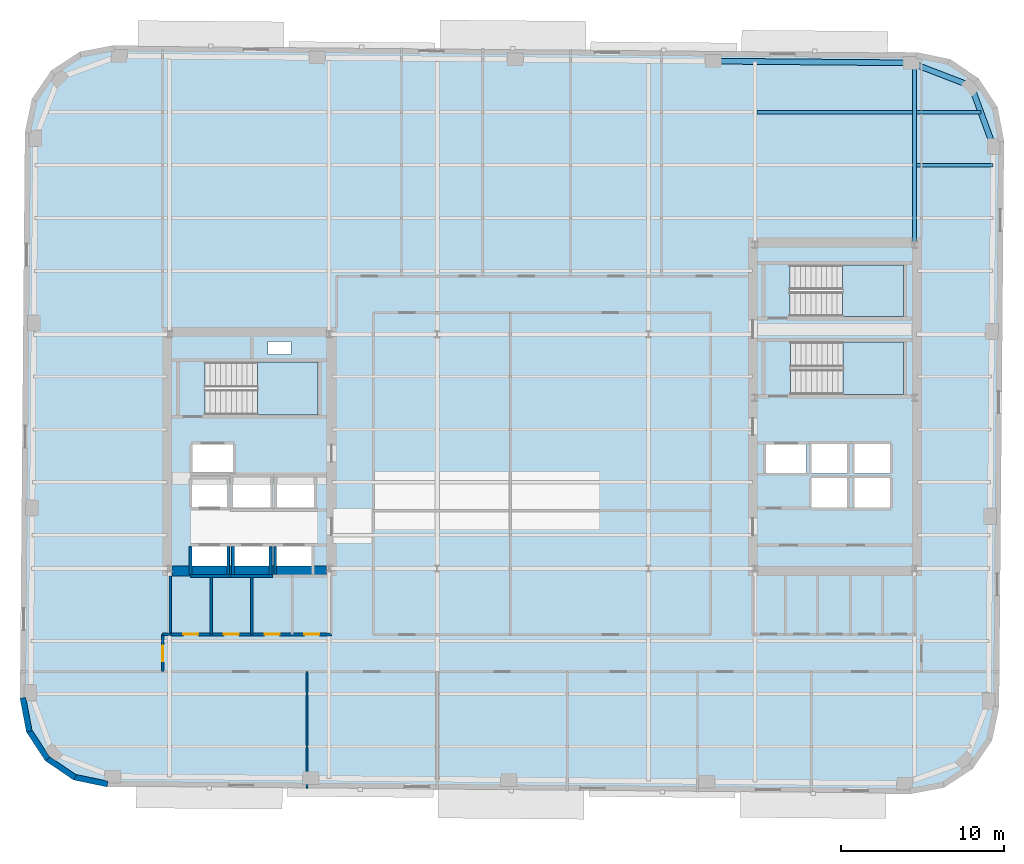
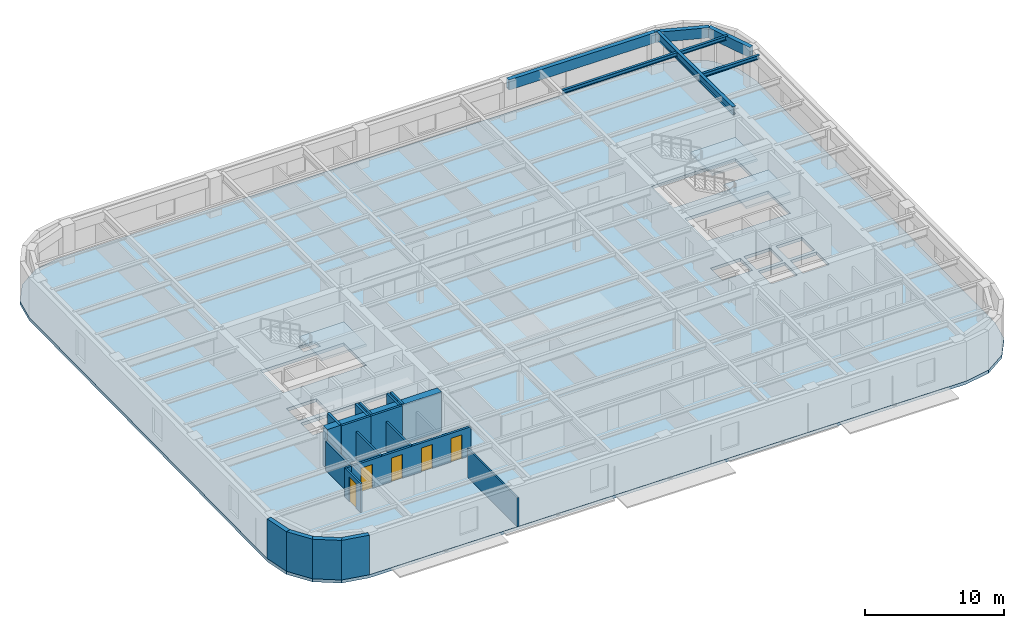
# One storey, part 3 of 11: 19 walls, 7 beams, 5 doors, 4 slabs, 5 openings, 3 elements without a shape of their own.
"""IFC4 building model written with IfcOpenShell, lengths in metres."""

from ifc_helpers import new_model, si_unit, direction, frame, frame_2d, origin, origin_2d, place, context, subcontext, project, spatial, polyline, rectangle, hollow_rectangle, i_section, outline, extrude, material, layer, layer_set, material_profile, profile_set, type_object, element, fill, aggregate, save


model = new_model("IFC4")

# Units and contexts
model_context = context("Model", 3, precision=1e-05, world=origin(), true_north=direction((0.0, 1.0)))
body_context = subcontext(model_context, "Body", "Model", "MODEL_VIEW")
ifc_project = project(units=[si_unit("LENGTHUNIT", "METRE"), si_unit("AREAUNIT", "SQUARE_METRE"), si_unit("VOLUMEUNIT", "CUBIC_METRE"), si_unit("PLANEANGLEUNIT", "RADIAN"), si_unit("MASSUNIT", "GRAM", prefix="KILO")], contexts=[model_context])

# Site, building, storey
site_placement = place(None, origin())
site = spatial("IfcSite", under=ifc_project, at=site_placement, CompositionType="ELEMENT")
building_placement = place(site_placement, origin())
building = spatial("IfcBuilding", under=site, at=building_placement, Name="Kolvaren Arena Tower", CompositionType="ELEMENT")
storey_placement = place(building_placement, frame((0.0, 0.0, 162.199951171875)))
storey = spatial("IfcBuildingStorey", under=building, at=storey_placement, Name="L38", CompositionType="ELEMENT", Elevation=162.199951171875)

# Beams
ifc_material_1 = material(Name="Steel CSA G40.21 350W", Category="steel")
ifc_material_profile_1 = material_profile(ifc_material_1, i_section(OverallWidth=0.2548828125, OverallDepth=0.695068359375, WebThickness=0.01708984375, FlangeThickness=0.02978515625, FilletRadius=0.01611328125, at=origin_2d()), Name="W690x217")
ifc_profile_set_1 = profile_set([ifc_material_profile_1], Name="Steel CSA G40.21 350W")
beam_type_1 = type_object("IfcBeamType", Name="GIRD-T2", PredefinedType="BEAM", material=ifc_profile_set_1)
beam_1_placement = place(storey_placement, frame((60.35009765625, 39.47998046875, 3.132568359375), z_axis=(0.0, 1.0, 0.0), x_axis=(-1.0, 0.0, 0.0)))
element("IfcBeam", 1, at=beam_1_placement, inside=storey, type_object=beam_type_1, Name="Primary Floor Girder (L38)", PredefinedType="BEAM", context=body_context, shape_type="SweptSolid", body=[
    extrude(i_section(OverallWidth=0.2548828125, OverallDepth=0.695068359375, WebThickness=0.01708984375, FlangeThickness=0.02978515625, FilletRadius=0.01611328125, at=origin_2d()), origin(), (0.0, 0.0, 1.0), 10.976806640625),
])
ifc_material_profile_2 = material_profile(ifc_material_1, i_section(OverallWidth=0.202880859375, OverallDepth=0.346923828125, WebThickness=0.0078125, FlangeThickness=0.013427734375, FilletRadius=0.010986328125, at=origin_2d()), Name="W360x64")
ifc_profile_set_2 = profile_set([ifc_material_profile_2], Name="Steel CSA G40.21 350W")
beam_type_2 = type_object("IfcBeamType", Name="JOIST-01", PredefinedType="JOIST", material=ifc_profile_set_2)
beam_2_placement = place(storey_placement, frame((60.4775390625, 44.25, 3.306640625), z_axis=(1.0, 0.0, 0.0), x_axis=(0.0, 1.0, 0.0)))
element("IfcBeam", 2, at=beam_2_placement, inside=storey, type_object=beam_type_2, Name="Composite Floor Joist (L38)", PredefinedType="JOIST", context=body_context, shape_type="SweptSolid", body=[
    extrude(i_section(OverallWidth=0.202880859375, OverallDepth=0.346923828125, WebThickness=0.0078125, FlangeThickness=0.013427734375, FilletRadius=0.010986328125, at=origin_2d()), origin(), (0.0, 0.0, 1.0), 4.710205078125),
])
beam_3_placement = place(storey_placement, frame((50.677490234375, 47.5, 3.306640625), z_axis=(1.0, 0.0, 0.0), x_axis=(0.0, 1.0, 0.0)))
element("IfcBeam", 3, at=beam_3_placement, inside=storey, type_object=beam_type_2, Name="Composite Floor Joist (L38)", PredefinedType="JOIST", context=body_context, shape_type="SweptSolid", body=[
    extrude(i_section(OverallWidth=0.202880859375, OverallDepth=0.346923828125, WebThickness=0.0078125, FlangeThickness=0.013427734375, FilletRadius=0.010986328125, at=origin_2d()), origin(), (0.0, 0.0, 1.0), 9.544921875),
])
beam_4_placement = place(storey_placement, frame((60.4775390625, 47.5, 3.306640625), z_axis=(1.0, 0.0, 0.0), x_axis=(0.0, 1.0, 0.0)))
element("IfcBeam", 4, at=beam_4_placement, inside=storey, type_object=beam_type_2, Name="Composite Floor Joist (L38)", PredefinedType="JOIST", context=body_context, shape_type="SweptSolid", body=[
    extrude(i_section(OverallWidth=0.202880859375, OverallDepth=0.346923828125, WebThickness=0.0078125, FlangeThickness=0.013427734375, FilletRadius=0.010986328125, at=origin_2d()), origin(), (0.0, 0.0, 1.0), 3.950439453125),
])
ifc_material_2 = material(Name="Steel CSA G40.21 350WT", Category="steel")
ifc_material_profile_3 = material_profile(ifc_material_2, hollow_rectangle(XDim=0.35009765625, YDim=0.89990234375, WallThickness=0.02001953125, at=origin_2d()), Name="HSS 900x350x20")
ifc_profile_set_3 = profile_set([ifc_material_profile_3], Name="Steel CSA G40.21 350WT")
beam_type_3 = type_object("IfcBeamType", Name="SPAND-01", PredefinedType="SPANDREL", material=ifc_profile_set_3)
for number, where, z_axis, x_axis, name in (
    (5, (65.19775390625, 45.392333984375, 3.030029296875), (-0.343059102458, 0.939313819882, 0.0), (-0.939313819882, -0.343059102458, 0.0), "Perimeter Spandrel Beam (L38)"),
    (6, (63.8388671875, 49.113037109375, 3.030029296875), (-0.933189846698, 0.359383792094, 0.0), (-0.359383792094, -0.933189846698, 0.0), "Perimeter Spandrel Beam (L38)"),
):
    element("IfcBeam", number, at=place(storey_placement, frame(where, z_axis=z_axis, x_axis=x_axis)), inside=storey, type_object=beam_type_3, Name=name, PredefinedType="SPANDREL", context=body_context, shape_type="SweptSolid", body=[
        extrude(hollow_rectangle(XDim=0.35009765625, YDim=0.89990234375, WallThickness=0.02001953125, at=origin_2d()), origin(), (0.0, 0.0, 1.0), 3.961181640625),
    ])
beam_5_placement = place(storey_placement, frame((60.142333984375, 50.53662109375, 3.030029296875), z_axis=(-0.99996195503, 0.008722871848, 0.0), x_axis=(-0.008722871848, -0.99996195503, 0.0)))
element("IfcBeam", 7, at=beam_5_placement, inside=storey, type_object=beam_type_3, Name="Perimeter Spandrel Beam (L38)", PredefinedType="SPANDREL", context=body_context, shape_type="SweptSolid", body=[
    extrude(hollow_rectangle(XDim=0.35009765625, YDim=0.89990234375, WallThickness=0.02001953125, at=origin_2d()), origin(), (0.0, 0.0, 1.0), 12.175048828125),
])

# Stair, slab
ifc_material_3 = material(Name="Concrete 45 MPa", Category="concrete")
stair_type_1 = type_object("IfcStairType", Name="STAIR-CORE-165", PredefinedType="HALF_TURN_STAIR", material=ifc_material_3)
stair_1_placement = place(storey_placement, origin())
stair_1 = element("IfcStair", 8, at=stair_1_placement, inside=storey, type_object=stair_type_1, Name="L38 ST-W1", PredefinedType="HALF_TURN_STAIR")
ifc_layer_1 = layer(ifc_material_3, 0.199951171875)
ifc_layer_set_1 = layer_set([ifc_layer_1], Name="Concrete 45 MPa")
slab_type_1 = type_object("IfcSlabType", Name="SLAB-LAND", PredefinedType="LANDING", material=ifc_layer_set_1)
slab_1_placement = place(storey_placement, frame((0.0, 0.0, 1.675048828125)))
slab_1 = element("IfcSlab", 9, at=slab_1_placement, type_object=slab_type_1, Name="ST-W1 landing 1", PredefinedType="LANDING", context=body_context, shape_type="SweptSolid", body=[
    extrude(outline(polyline([(19.9599609375, 28.89990234375), (23.659912109375, 28.89990234375), (23.659912109375, 32.1298828125), (19.9599609375, 32.1298828125), (19.9599609375, 28.89990234375)])), origin(), (0.0, 0.0, 1.0), 0.199951171875),
])
aggregate(stair_1, [slab_1])

stair_2_placement = place(storey_placement, origin())
stair_2 = element("IfcStair", 10, at=stair_2_placement, inside=storey, type_object=stair_type_1, Name="L38 ST-E1", PredefinedType="HALF_TURN_STAIR")
slab_2_placement = place(storey_placement, frame((0.0, 0.0, 1.675048828125)))
slab_2 = element("IfcSlab", 11, at=slab_2_placement, type_object=slab_type_1, Name="ST-E1 landing 1", PredefinedType="LANDING", context=body_context, shape_type="SweptSolid", body=[
    extrude(outline(polyline([(55.9599609375, 30.14990234375), (59.659912109375, 30.14990234375), (59.659912109375, 33.3798828125), (55.9599609375, 33.3798828125), (55.9599609375, 30.14990234375)])), origin(), (0.0, 0.0, 1.0), 0.199951171875),
])
aggregate(stair_2, [slab_2])

stair_type_2 = type_object("IfcStairType", Name="STAIR-CORE-150", PredefinedType="HALF_TURN_STAIR", material=ifc_material_3)
stair_3_placement = place(storey_placement, origin())
stair_3 = element("IfcStair", 12, at=stair_3_placement, inside=storey, type_object=stair_type_2, Name="L38 ST-E2", PredefinedType="HALF_TURN_STAIR")
slab_3_placement = place(storey_placement, frame((0.0, 0.0, 1.675048828125)))
slab_3 = element("IfcSlab", 13, at=slab_3_placement, type_object=slab_type_1, Name="ST-E2 landing 1", PredefinedType="LANDING", context=body_context, shape_type="SweptSolid", body=[
    extrude(outline(polyline([(55.919921875, 34.949951171875), (59.659912109375, 34.949951171875), (59.659912109375, 38.10009765625), (55.919921875, 38.10009765625), (55.919921875, 34.949951171875)])), origin(), (0.0, 0.0, 1.0), 0.199951171875),
])
aggregate(stair_3, [slab_3])

# Slab
ifc_layer_2 = layer(ifc_material_3, 0.27001953125)
ifc_layer_set_2 = layer_set([ifc_layer_2], Name="Concrete 45 MPa")
slab_type_2 = type_object("IfcSlabType", Name="SLAB-OFF2", PredefinedType="FLOOR", material=ifc_layer_set_2)
slab_4_placement = place(storey_placement, frame((0.0, 0.0, -0.27001953125)))
element("IfcSlab", 14, at=slab_4_placement, inside=storey, type_object=slab_type_2, Name="L38 Primary Structural Slab", PredefinedType="FLOOR", context=body_context, shape_type="SweptSolid", body=[
    extrude(outline(polyline([(60.10009765625, 5.585205078125), (62.170166015625, 5.978271484375), (63.93212890625, 7.133544921875), (65.117919921875, 8.875244140625), (65.547119140625, 10.93798828125), (65.8505859375, 45.73681640625), (65.457763671875, 47.806640625), (64.302490234375, 49.568603515625), (62.560791015625, 50.75439453125), (60.498046875, 51.18359375), (11.099853515625, 51.61474609375), (9.02978515625, 51.2216796875), (7.267822265625, 50.06640625), (6.08203125, 48.32470703125), (5.653076171875, 46.261962890625), (5.349365234375, 11.46337890625), (5.7421875, 9.393310546875), (6.8974609375, 7.63134765625), (8.63916015625, 6.445556640625), (10.701904296875, 6.016357421875), (60.10009765625, 5.585205078125)]), holes=[polyline([(15.93505859375, 19.0849609375), (15.93505859375, 20.81494140625), (18.06494140625, 20.81494140625), (18.06494140625, 19.0849609375), (15.93505859375, 19.0849609375)]), polyline([(18.534912109375, 19.0849609375), (18.534912109375, 20.81494140625), (20.6650390625, 20.81494140625), (20.6650390625, 19.0849609375), (18.534912109375, 19.0849609375)]), polyline([(21.135009765625, 19.0849609375), (21.135009765625, 20.81494140625), (23.264892578125, 20.81494140625), (23.264892578125, 19.0849609375), (21.135009765625, 19.0849609375)]), polyline([(18.4599609375, 23.135009765625), (18.4599609375, 25.06494140625), (20.739990234375, 25.06494140625), (20.739990234375, 23.135009765625), (18.4599609375, 23.135009765625)]), polyline([(21.159912109375, 23.135009765625), (21.159912109375, 25.06494140625), (23.43994140625, 25.06494140625), (23.43994140625, 23.135009765625), (21.159912109375, 23.135009765625)]), polyline([(54.030029296875, 23.18505859375), (54.030029296875, 25.014892578125), (56.2099609375, 25.014892578125), (56.2099609375, 23.18505859375), (54.030029296875, 23.18505859375)]), polyline([(56.669921875, 23.18505859375), (56.669921875, 25.014892578125), (58.85009765625, 25.014892578125), (58.85009765625, 23.18505859375), (56.669921875, 23.18505859375)]), polyline([(15.93505859375, 23.235107421875), (15.93505859375, 24.965087890625), (18.06494140625, 24.965087890625), (18.06494140625, 23.235107421875), (15.93505859375, 23.235107421875)]), polyline([(54.030029296875, 25.284912109375), (54.030029296875, 27.114990234375), (56.2099609375, 27.114990234375), (56.2099609375, 25.284912109375), (54.030029296875, 25.284912109375)]), polyline([(56.669921875, 25.284912109375), (56.669921875, 27.114990234375), (58.85009765625, 27.114990234375), (58.85009765625, 25.284912109375), (56.669921875, 25.284912109375)]), polyline([(15.9599609375, 25.3349609375), (15.9599609375, 27.06494140625), (18.43994140625, 27.06494140625), (18.43994140625, 25.3349609375), (15.9599609375, 25.3349609375)]), polyline([(51.219970703125, 25.3349609375), (51.219970703125, 27.06494140625), (53.699951171875, 27.06494140625), (53.699951171875, 25.3349609375), (51.219970703125, 25.3349609375)]), polyline([(16.735107421875, 28.89990234375), (16.735107421875, 32.1298828125), (23.659912109375, 32.1298828125), (23.659912109375, 28.89990234375), (16.735107421875, 28.89990234375)]), polyline([(52.735107421875, 30.14990234375), (52.735107421875, 33.3798828125), (59.659912109375, 33.3798828125), (59.659912109375, 30.14990234375), (52.735107421875, 30.14990234375)]), polyline([(20.60009765625, 32.6201171875), (20.60009765625, 33.39990234375), (22.0, 33.39990234375), (22.0, 32.6201171875), (20.60009765625, 32.6201171875)]), polyline([(52.695068359375, 34.949951171875), (52.695068359375, 38.10009765625), (59.659912109375, 38.10009765625), (59.659912109375, 34.949951171875), (52.695068359375, 34.949951171875)])]), origin(), (0.0, 0.0, 1.0), 0.27001953125),
])

# Wall, opening, door
ifc_material_4 = material(Name="Gypsum board acoustic assembly", Category="gypsum")
ifc_layer_3 = layer(ifc_material_4, 0.159912109375)
ifc_layer_set_3 = layer_set([ifc_layer_3], Name="Gypsum board acoustic assembly")
wall_type_1 = type_object("IfcWallType", Name="CORR-160", PredefinedType="PARTITIONING", material=ifc_layer_set_3)
wall_1_placement = place(storey_placement, frame((14.1201171875, 13.10009765625, 0.0), z_axis=(0.0, 0.0, 1.0), x_axis=(0.0, 1.0, 0.0)))
wall_1 = element("IfcWall", 15, at=wall_1_placement, inside=storey, type_object=wall_type_1, Name="Interior Partition Wall (L38)", PredefinedType="PARTITIONING", context=body_context, shape_type="SweptSolid", body=[
    extrude(rectangle(XDim=2.2998046875, YDim=0.159912109375, at=frame_2d((1.14990234375, 0.0))), origin(), (0.0, 0.0, 1.0), 2.5400390625),
])
opening_1_placement = place(wall_1_placement, frame((0.64990234375, 0.0, 0.0)))
opening_1 = element("IfcOpeningElement", 16, at=opening_1_placement, cuts=wall_1, Name="Opening D05", PredefinedType="OPENING", context=body_context, shape_type="SweptSolid", body=[
    extrude(rectangle(XDim=0.949951171875, YDim=2.14990234375, at=frame_2d((0.47509765625, 1.074951171875))), frame((0.0, 0.08984375, 0.0), z_axis=(0.0, -1.0, 0.0), x_axis=(1.0, 0.0, 0.0)), (0.0, 0.0, 1.0), 0.179931640625),
])
ifc_material_5 = material(Name="Solid-core oak acoustic office door", Category="wood")
door_type_1 = type_object("IfcDoorType", Name="DOOR-OF-095", OperationType="NOTDEFINED", PredefinedType="DOOR", material=ifc_material_5)
door_1_placement = place(opening_1_placement, origin())
door_1 = element("IfcDoor", 17, at=door_1_placement, inside=storey, type_object=door_type_1, Name="West Wing Office Door (L38)", OperationType="SINGLE_SWING_LEFT", OverallHeight=2.14990234375, OverallWidth=0.949951171875, PredefinedType="DOOR", context=body_context, shape_type="SweptSolid", body=[
    extrude(rectangle(XDim=0.949951171875, YDim=2.14990234375, at=frame_2d((0.47509765625, 1.074951171875))), frame((0.0, 0.02490234375, 0.0), z_axis=(0.0, -1.0, 0.0), x_axis=(1.0, 0.0, 0.0)), (0.0, 0.0, 1.0), 0.050048828125),
])
fill(opening_1, door_1)

# Walls
wall_2_placement = place(storey_placement, frame((14.1201171875, 15.39990234375, 0.0), z_axis=(0.0, 0.0, 1.0), x_axis=(1.0, 0.0, 0.0)))
element("IfcWall", 18, at=wall_2_placement, inside=storey, type_object=wall_type_1, Name="Interior Partition Wall (L38)", PredefinedType="PARTITIONING", context=body_context, shape_type="SweptSolid", body=[
    extrude(rectangle(XDim=0.5, YDim=0.159912109375, at=frame_2d((0.25, 0.0))), origin(), (0.0, 0.0, 1.0), 2.5400390625),
])
ifc_material_6 = material(Name="Concrete 60 MPa", Category="concrete")
ifc_layer_4 = layer(ifc_material_6, 0.60009765625)
ifc_layer_set_4 = layer_set([ifc_layer_4], Name="Concrete 60 MPa")
wall_type_2 = type_object("IfcWallType", Name="CWALL-600", PredefinedType="SHEAR", material=ifc_layer_set_4)
wall_3_placement = place(storey_placement, frame((14.699951171875, 19.300048828125, -0.27001953125), z_axis=(0.0, 0.0, 1.0), x_axis=(1.0, 0.0, 0.0)))
element("IfcWall", 19, at=wall_3_placement, inside=storey, type_object=wall_type_2, Name="Core Shear Wall WC-SOUTH (L38)", PredefinedType="SHEAR", context=body_context, shape_type="SweptSolid", body=[
    extrude(rectangle(XDim=9.5, YDim=0.60009765625, at=frame_2d((4.75, 0.0))), origin(), (0.0, 0.0, 1.0), 3.75),
])
ifc_material_7 = material(Name="Precast concrete C50/60", Category="concrete")
ifc_layer_5 = layer(ifc_material_7, 0.360107421875)
ifc_layer_set_5 = layer_set([ifc_layer_5], Name="Precast concrete C50/60")
wall_type_3 = type_object("IfcWallType", Name="EXT-PIER2", PredefinedType="SOLIDWALL", material=ifc_layer_set_5)
for number, where, z_axis, x_axis, name in (
    (20, (5.919189453125, 9.427001953125, 0.0), (0.0, 0.0, 1.0), (-0.186568933123, 0.982441872679, 0.0), "Exterior Precast Masonry-Frame Wall (L38)"),
    (21, (7.048095703125, 7.72998046875, 0.0), (0.0, 0.0, 1.0), (-0.548319766745, 0.836268756678, 0.0), "Exterior Precast Masonry-Frame Wall (L38)"),
    (22, (8.740478515625, 6.59423828125, 0.0), (0.0, 0.0, 1.0), (-0.826609569219, 0.56277581689, 0.0), "Exterior Precast Masonry-Frame Wall (L38)"),
):
    element("IfcWall", number, at=place(storey_placement, frame(where, z_axis=z_axis, x_axis=x_axis)), inside=storey, type_object=wall_type_3, Name=name, PredefinedType="SOLIDWALL", context=body_context, shape_type="SweptSolid", body=[
        extrude(rectangle(XDim=2.10693359375, YDim=0.360107421875, at=frame_2d((1.053466796875, 0.0))), origin(), (0.0, 0.0, 1.0), 3.47998046875),
    ])
wall_4_placement = place(storey_placement, frame((10.73876953125, 6.192626953125, 0.0), z_axis=(0.0, 0.0, 1.0), x_axis=(-0.979059388908, 0.203574833883, 0.0)))
element("IfcWall", 23, at=wall_4_placement, inside=storey, type_object=wall_type_3, Name="Exterior Precast Masonry-Frame Wall (L38)", PredefinedType="SOLIDWALL", context=body_context, shape_type="SweptSolid", body=[
    extrude(rectangle(XDim=2.107177734375, YDim=0.360107421875, at=frame_2d((1.0537109375, 0.0))), origin(), (0.0, 0.0, 1.0), 3.47998046875),
])
ifc_material_8 = material(Name="Gypsum board partition assembly", Category="gypsum")
ifc_layer_6 = layer(ifc_material_8, 0.135009765625)
ifc_layer_set_6 = layer_set([ifc_layer_6], Name="Gypsum board partition assembly")
wall_type_4 = type_object("IfcWallType", Name="PART-135", PredefinedType="PARTITIONING", material=ifc_layer_set_6)
wall_5_placement = place(storey_placement, frame((23.0, 5.9091796875, 0.0), z_axis=(0.0, 0.0, 1.0), x_axis=(0.0, 1.0, 0.0)))
element("IfcWall", 24, at=wall_5_placement, inside=storey, type_object=wall_type_4, Name="Interior Partition Wall (L38)", PredefinedType="PARTITIONING", context=body_context, shape_type="SweptSolid", body=[
    extrude(rectangle(XDim=7.19091796875, YDim=0.135009765625, at=frame_2d((3.595458984375, 0.0))), origin(), (0.0, 0.0, 1.0), 2.5400390625),
])
ifc_layer_7 = layer(ifc_material_3, 0.25)
ifc_layer_set_7 = layer_set([ifc_layer_7], Name="Concrete 45 MPa")
wall_type_5 = type_object("IfcWallType", Name="SHAFT-250", PredefinedType="SOLIDWALL", material=ifc_layer_set_7)
wall_6_placement = place(storey_placement, frame((15.844970703125, 18.9951171875, 0.0), z_axis=(0.0, 0.0, 1.0), x_axis=(1.0, 0.0, 0.0)))
element("IfcWall", 25, at=wall_6_placement, inside=storey, type_object=wall_type_5, Name="Core Shaft Wall (L38)", PredefinedType="SOLIDWALL", context=body_context, shape_type="SweptSolid", body=[
    extrude(rectangle(XDim=2.455078125, YDim=0.179931640625, at=frame_2d((1.2275390625, 0.0))), origin(), (0.0, 0.0, 1.0), 3.47998046875),
])
for number, where, z_axis, x_axis, name in (
    (26, (15.844970703125, 19.0849609375, 0.0), (0.0, 0.0, 1.0), (0.0, 1.0, 0.0), "Core Shaft Wall (L38)"),
    (27, (18.155029296875, 19.0849609375, 0.0), (0.0, 0.0, 1.0), (0.0, 1.0, 0.0), "Core Shaft Wall (L38)"),
):
    element("IfcWall", number, at=place(storey_placement, frame(where, z_axis=z_axis, x_axis=x_axis)), inside=storey, type_object=wall_type_5, Name=name, PredefinedType="SOLIDWALL", context=body_context, shape_type="SweptSolid", body=[
        extrude(rectangle(XDim=1.72998046875, YDim=0.179931640625, at=frame_2d((0.864990234375, 0.0))), origin(), (0.0, 0.0, 1.0), 3.47998046875),
    ])
wall_7_placement = place(storey_placement, frame((18.300048828125, 18.9951171875, 0.0), z_axis=(0.0, 0.0, 1.0), x_axis=(1.0, 0.0, 0.0)))
element("IfcWall", 28, at=wall_7_placement, inside=storey, type_object=wall_type_5, Name="Core Shaft Wall (L38)", PredefinedType="SOLIDWALL", context=body_context, shape_type="SweptSolid", body=[
    extrude(rectangle(XDim=2.599853515625, YDim=0.179931640625, at=frame_2d((1.2998046875, 0.0))), origin(), (0.0, 0.0, 1.0), 3.47998046875),
])
for number, where, z_axis, x_axis, name in (
    (29, (18.445068359375, 19.0849609375, 0.0), (0.0, 0.0, 1.0), (0.0, 1.0, 0.0), "Core Shaft Wall (L38)"),
    (30, (20.7548828125, 19.0849609375, 0.0), (0.0, 0.0, 1.0), (0.0, 1.0, 0.0), "Core Shaft Wall (L38)"),
    (31, (21.044921875, 19.0849609375, 0.0), (0.0, 0.0, 1.0), (0.0, 1.0, 0.0), "Core Shaft Wall (L38)"),
):
    element("IfcWall", number, at=place(storey_placement, frame(where, z_axis=z_axis, x_axis=x_axis)), inside=storey, type_object=wall_type_5, Name=name, PredefinedType="SOLIDWALL", context=body_context, shape_type="SweptSolid", body=[
        extrude(rectangle(XDim=1.72998046875, YDim=0.179931640625, at=frame_2d((0.864990234375, 0.0))), origin(), (0.0, 0.0, 1.0), 3.47998046875),
    ])
ifc_material_9 = material(Name="Moisture-resistant gypsum assembly", Category="gypsum")
ifc_layer_8 = layer(ifc_material_9, 0.14990234375)
ifc_layer_set_8 = layer_set([ifc_layer_8], Name="Moisture-resistant gypsum assembly")
wall_type_6 = type_object("IfcWallType", Name="WETW-150", PredefinedType="PARTITIONING", material=ifc_layer_set_8)
for number, where, z_axis, x_axis, name in (
    (32, (17.10009765625, 15.39990234375, 0.0), (0.0, 0.0, 1.0), (0.0, 1.0, 0.0), "Interior Partition Wall (L38)"),
    (33, (19.60009765625, 15.39990234375, 0.0), (0.0, 0.0, 1.0), (0.0, 1.0, 0.0), "Interior Partition Wall (L38)"),
):
    element("IfcWall", number, at=place(storey_placement, frame(where, z_axis=z_axis, x_axis=x_axis)), inside=storey, type_object=wall_type_6, Name=name, PredefinedType="PARTITIONING", context=body_context, shape_type="SweptSolid", body=[
        extrude(rectangle(XDim=3.580078125, YDim=0.14990234375, at=frame_2d((1.7900390625, 0.0))), origin(), (0.0, 0.0, 1.0), 2.5400390625),
    ])

# Wall, openings, doors
wall_8_placement = place(storey_placement, frame((14.60009765625, 15.39990234375, 0.0), z_axis=(0.0, 0.0, 1.0), x_axis=(1.0, 0.0, 0.0)))
wall_8 = element("IfcWall", 34, at=wall_8_placement, inside=storey, type_object=wall_type_6, Name="Interior Partition Wall (L38)", PredefinedType="PARTITIONING", context=body_context, shape_type="SweptSolid", body=[
    extrude(rectangle(XDim=9.89990234375, YDim=0.179931640625, at=frame_2d((4.949951171875, 0.0))), origin(), (0.0, 0.0, 1.0), 2.5400390625),
])
opening_2_placement = place(wall_8_placement, frame((0.7900390625, 0.0, 0.0)))
opening_2 = element("IfcOpeningElement", 35, at=opening_2_placement, cuts=wall_8, Name="Opening D07", PredefinedType="OPENING", context=body_context, shape_type="SweptSolid", body=[
    extrude(rectangle(XDim=0.919921875, YDim=2.10009765625, at=frame_2d((0.4599609375, 1.050048828125))), frame((0.0, 0.099853515625, 0.0), z_axis=(0.0, -1.0, 0.0), x_axis=(1.0, 0.0, 0.0)), (0.0, 0.0, 1.0), 0.199951171875),
])
opening_3_placement = place(wall_8_placement, frame((3.2900390625, 0.0, 0.0)))
opening_3 = element("IfcOpeningElement", 36, at=opening_3_placement, cuts=wall_8, Name="Opening D07", PredefinedType="OPENING", context=body_context, shape_type="SweptSolid", body=[
    extrude(rectangle(XDim=0.919921875, YDim=2.10009765625, at=frame_2d((0.4599609375, 1.050048828125))), frame((0.0, 0.099853515625, 0.0), z_axis=(0.0, -1.0, 0.0), x_axis=(1.0, 0.0, 0.0)), (0.0, 0.0, 1.0), 0.199951171875),
])
opening_4_placement = place(wall_8_placement, frame((5.7900390625, 0.0, 0.0)))
opening_4 = element("IfcOpeningElement", 37, at=opening_4_placement, cuts=wall_8, Name="Opening D07", PredefinedType="OPENING", context=body_context, shape_type="SweptSolid", body=[
    extrude(rectangle(XDim=0.919921875, YDim=2.10009765625, at=frame_2d((0.4599609375, 1.050048828125))), frame((0.0, 0.099853515625, 0.0), z_axis=(0.0, -1.0, 0.0), x_axis=(1.0, 0.0, 0.0)), (0.0, 0.0, 1.0), 0.199951171875),
])
opening_5_placement = place(wall_8_placement, frame((8.239990234375, 0.0, 0.0)))
opening_5 = element("IfcOpeningElement", 38, at=opening_5_placement, cuts=wall_8, Name="Opening D07", PredefinedType="OPENING", context=body_context, shape_type="SweptSolid", body=[
    extrude(rectangle(XDim=0.919921875, YDim=2.10009765625, at=frame_2d((0.4599609375, 1.050048828125))), frame((0.0, 0.099853515625, 0.0), z_axis=(0.0, -1.0, 0.0), x_axis=(1.0, 0.0, 0.0)), (0.0, 0.0, 1.0), 0.199951171875),
])
ifc_material_10 = material(Name="Laminate universal washroom door", Category="wood")
door_type_2 = type_object("IfcDoorType", Name="DOOR-WC-092", OperationType="NOTDEFINED", PredefinedType="DOOR", material=ifc_material_10)
door_2_placement = place(opening_2_placement, origin())
door_2 = element("IfcDoor", 39, at=door_2_placement, inside=storey, type_object=door_type_2, Name="Women Restroom Door (L38)", OperationType="SINGLE_SWING_RIGHT", OverallHeight=2.10009765625, OverallWidth=0.919921875, PredefinedType="DOOR", context=body_context, shape_type="SweptSolid", body=[
    extrude(rectangle(XDim=0.919921875, YDim=2.10009765625, at=frame_2d((0.4599609375, 1.050048828125))), frame((0.0, 0.02490234375, 0.0), z_axis=(0.0, -1.0, 0.0), x_axis=(1.0, 0.0, 0.0)), (0.0, 0.0, 1.0), 0.050048828125),
])
fill(opening_2, door_2)
door_3_placement = place(opening_3_placement, origin())
door_3 = element("IfcDoor", 40, at=door_3_placement, inside=storey, type_object=door_type_2, Name="Men Restroom Door (L38)", OperationType="SINGLE_SWING_LEFT", OverallHeight=2.10009765625, OverallWidth=0.919921875, PredefinedType="DOOR", context=body_context, shape_type="SweptSolid", body=[
    extrude(rectangle(XDim=0.919921875, YDim=2.10009765625, at=frame_2d((0.4599609375, 1.050048828125))), frame((0.0, 0.02490234375, 0.0), z_axis=(0.0, -1.0, 0.0), x_axis=(1.0, 0.0, 0.0)), (0.0, 0.0, 1.0), 0.050048828125),
])
fill(opening_3, door_3)
door_4_placement = place(opening_4_placement, origin())
door_4 = element("IfcDoor", 41, at=door_4_placement, inside=storey, type_object=door_type_2, Name="Universal Barrier-Free Washroom Door (L38)", OperationType="SINGLE_SWING_RIGHT", OverallHeight=2.10009765625, OverallWidth=0.919921875, PredefinedType="DOOR", context=body_context, shape_type="SweptSolid", body=[
    extrude(rectangle(XDim=0.919921875, YDim=2.10009765625, at=frame_2d((0.4599609375, 1.050048828125))), frame((0.0, 0.02490234375, 0.0), z_axis=(0.0, -1.0, 0.0), x_axis=(1.0, 0.0, 0.0)), (0.0, 0.0, 1.0), 0.050048828125),
])
fill(opening_4, door_4)
door_5_placement = place(opening_5_placement, origin())
door_5 = element("IfcDoor", 42, at=door_5_placement, inside=storey, type_object=door_type_2, Name="Linen Store Door (L38)", OperationType="SINGLE_SWING_LEFT", OverallHeight=2.10009765625, OverallWidth=0.919921875, PredefinedType="DOOR", context=body_context, shape_type="SweptSolid", body=[
    extrude(rectangle(XDim=0.919921875, YDim=2.10009765625, at=frame_2d((0.4599609375, 1.050048828125))), frame((0.0, 0.02490234375, 0.0), z_axis=(0.0, -1.0, 0.0), x_axis=(1.0, 0.0, 0.0)), (0.0, 0.0, 1.0), 0.050048828125),
])
fill(opening_5, door_5)

# Wall
wall_9_placement = place(storey_placement, frame((14.60009765625, 15.39990234375, 0.0), z_axis=(0.0, 0.0, 1.0), x_axis=(0.0, 1.0, 0.0)))
element("IfcWall", 43, at=wall_9_placement, inside=storey, type_object=wall_type_6, Name="Interior Partition Wall (L38)", PredefinedType="PARTITIONING", context=body_context, shape_type="SweptSolid", body=[
    extrude(rectangle(XDim=3.580078125, YDim=0.14990234375, at=frame_2d((1.7900390625, 0.0))), origin(), (0.0, 0.0, 1.0), 2.5400390625),
])

save(model, "model.ifc")
